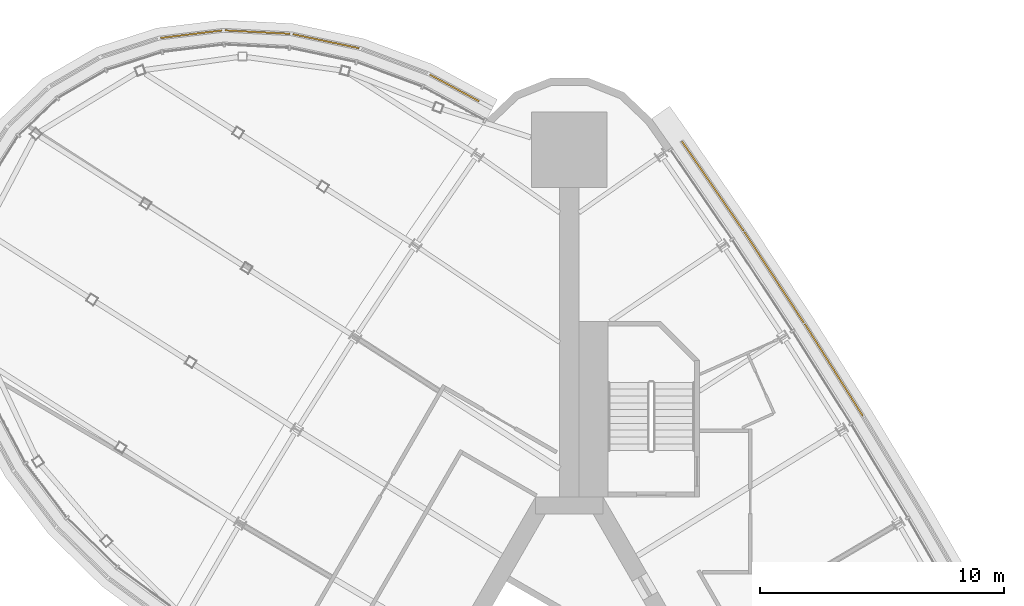
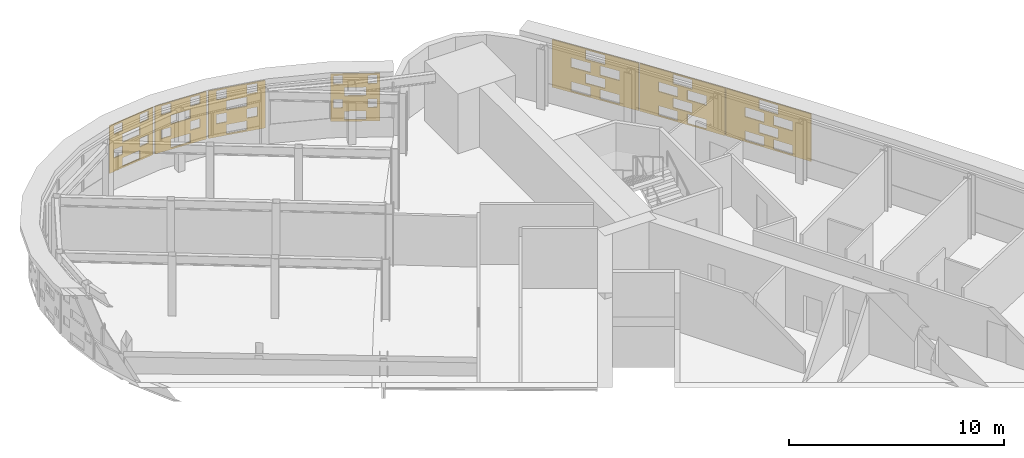
# One storey, part 17 of 17: 7 shading devices.
"""IFC4 building model written with IfcOpenShell, lengths in metres."""

from ifc_helpers import new_model, si_unit, direction, frame, origin, place, context, subcontext, project, spatial, polyline, outline, extrude, material, layer, layer_set, material_profile, profile_set, type_object, element, save


model = new_model("IFC4")

# Units and contexts
model_context = context("Model", 3, precision=1e-05, world=origin(), true_north=direction((0.0, 1.0)))
body_context = subcontext(model_context, "Body", "Model", "MODEL_VIEW")
ifc_project = project(units=[si_unit("LENGTHUNIT", "METRE"), si_unit("AREAUNIT", "SQUARE_METRE"), si_unit("VOLUMEUNIT", "CUBIC_METRE"), si_unit("PLANEANGLEUNIT", "RADIAN"), si_unit("MASSUNIT", "GRAM", prefix="KILO")], contexts=[model_context])

# Site, building, storey
site_placement = place(None, origin())
site = spatial("IfcSite", under=ifc_project, at=site_placement, CompositionType="ELEMENT")
building_placement = place(site_placement, origin())
building = spatial("IfcBuilding", under=site, at=building_placement, Name="Noor Cloister Tower", CompositionType="ELEMENT")
storey_placement = place(building_placement, frame((0.0, 0.0, 102.300048828125)))
storey = spatial("IfcBuildingStorey", under=building, at=storey_placement, Name="L26", CompositionType="ELEMENT", Elevation=102.300048828125)

# Shading devices
ifc_material_1 = material(Name="Limestone", Category="masonry")
ifc_material_profile = material_profile(ifc_material_1, outline(polyline([(-2.22998046875, -1.35009765625), (2.22998046875, -1.35009765625), (2.22998046875, 1.35009765625), (-2.22998046875, 1.35009765625), (-2.22998046875, -1.35009765625)]), holes=[polyline([(-1.25, -1.282470703125), (-0.25, -1.282470703125), (-0.25, -0.742431640625), (-1.25, -0.742431640625), (-1.25, -1.282470703125)]), polyline([(0.25, -1.282470703125), (1.25, -1.282470703125), (1.25, -0.742431640625), (0.25, -0.742431640625), (0.25, -1.282470703125)]), polyline([(-0.5, -0.607421875), (0.5, -0.607421875), (0.5, -0.0673828125), (-0.5, -0.0673828125), (-0.5, -0.607421875)]), polyline([(-1.25, 0.0673828125), (-0.25, 0.0673828125), (-0.25, 0.607421875), (-1.25, 0.607421875), (-1.25, 0.0673828125)]), polyline([(0.25, 0.0673828125), (1.25, 0.0673828125), (1.25, 0.607421875), (0.25, 0.607421875), (0.25, 0.0673828125)]), polyline([(-0.5, 0.742431640625), (0.5, 0.742431640625), (0.5, 1.282470703125), (-0.5, 1.282470703125), (-0.5, 0.742431640625)])]), Name="Woven screen 28 percent open")
ifc_profile_set = profile_set([ifc_material_profile], Name="Limestone")
shading_device_type_1 = type_object("IfcShadingDeviceType", Name="SCREEN woven limestone 28 percent open", PredefinedType="USERDEFINED", material=ifc_profile_set)
for number, where, z_axis, x_axis, name in (
    (1, (10.8115234375, 16.651611328125, 1.849853515625), (0.846164898331, 0.53292116193, 0.0), (-0.53292116193, 0.846164898331, 0.0), "SCREEN L26 7"),
    (2, (8.367919921875, 20.440673828125, 1.849853515625), (0.836396944636, 0.548124211291, 0.0), (-0.548124211291, 0.836396944636, 0.0), "SCREEN L26 8"),
):
    element("IfcShadingDevice", number, at=place(storey_placement, frame(where, z_axis=z_axis, x_axis=x_axis)), inside=storey, type_object=shading_device_type_1, Name=name, ObjectType="SCREEN", PredefinedType="USERDEFINED", context=body_context, shape_type="SweptSolid", body=[
        extrude(outline(polyline([(-2.22998046875, -1.35009765625), (2.22998046875, -1.35009765625), (2.22998046875, 1.35009765625), (-2.22998046875, 1.35009765625), (-2.22998046875, -1.35009765625)]), holes=[polyline([(-1.25, -1.282470703125), (-0.25, -1.282470703125), (-0.25, -0.742431640625), (-1.25, -0.742431640625), (-1.25, -1.282470703125)]), polyline([(0.25, -1.282470703125), (1.25, -1.282470703125), (1.25, -0.742431640625), (0.25, -0.742431640625), (0.25, -1.282470703125)]), polyline([(-0.5, -0.607421875), (0.5, -0.607421875), (0.5, -0.0673828125), (-0.5, -0.0673828125), (-0.5, -0.607421875)]), polyline([(-1.25, 0.0673828125), (-0.25, 0.0673828125), (-0.25, 0.607421875), (-1.25, 0.607421875), (-1.25, 0.0673828125)]), polyline([(0.25, 0.0673828125), (1.25, 0.0673828125), (1.25, 0.607421875), (0.25, 0.607421875), (0.25, 0.0673828125)]), polyline([(-0.5, 0.742431640625), (0.5, 0.742431640625), (0.5, 1.282470703125), (-0.5, 1.282470703125), (-0.5, 0.742431640625)])]), origin(), (0.0, 0.0, 1.0), 0.06005859375),
    ])
shading_device_1_placement = place(storey_placement, frame((5.850341796875, 24.1806640625, 1.849853515625), z_axis=(0.823803864189, 0.566874936249, 0.0), x_axis=(-0.566874936249, 0.823803864189, 0.0)))
element("IfcShadingDevice", 3, at=shading_device_1_placement, inside=storey, type_object=shading_device_type_1, Name="SCREEN L26 9", ObjectType="SCREEN", PredefinedType="USERDEFINED", context=body_context, shape_type="SweptSolid", body=[
    extrude(outline(polyline([(-2.22998046875, -1.35009765625), (2.22998046875, -1.35009765625), (2.22998046875, 1.35009765625), (-2.22998046875, 1.35009765625), (-2.22998046875, -1.35009765625)]), holes=[polyline([(-1.25, -1.282470703125), (-0.25, -1.282470703125), (-0.25, -0.742431640625), (-1.25, -0.742431640625), (-1.25, -1.282470703125)]), polyline([(0.25, -1.282470703125), (1.25, -1.282470703125), (1.25, -0.742431640625), (0.25, -0.742431640625), (0.25, -1.282470703125)]), polyline([(-0.5, -0.607421875), (0.5, -0.607421875), (0.5, -0.0673828125), (-0.5, -0.0673828125), (-0.5, -0.607421875)]), polyline([(-1.25, 0.0673828125), (-0.25, 0.0673828125), (-0.25, 0.607421875), (-1.25, 0.607421875), (-1.25, 0.0673828125)]), polyline([(0.25, 0.0673828125), (1.25, 0.0673828125), (1.25, 0.607421875), (0.25, 0.607421875), (0.25, 0.0673828125)]), polyline([(-0.5, 0.742431640625), (0.5, 0.742431640625), (0.5, 1.282470703125), (-0.5, 1.282470703125), (-0.5, 0.742431640625)])]), origin(), (0.0, 0.0, 1.0), 0.059814453125),
])
ifc_material_2 = material(Name="Limestone", Category="masonry")
ifc_layer = layer(ifc_material_2, 0.06005859375)
ifc_layer_set = layer_set([ifc_layer], Name="SCREEN woven limestone pod 28 percent open")
shading_device_type_2 = type_object("IfcShadingDeviceType", Name="SCREEN woven limestone pod 28 percent open", PredefinedType="USERDEFINED", material=ifc_layer_set)
shading_device_2_placement = place(storey_placement, frame((-4.719970703125, 28.19384765625, 1.849853515625), z_axis=(0.476283148541, 0.879291966537, 0.0), x_axis=(-0.879291966537, 0.476283148541, 0.0)))
element("IfcShadingDevice", 4, at=shading_device_2_placement, inside=storey, type_object=shading_device_type_2, Name="SCREEN L26 1", ObjectType="SCREEN", PredefinedType="USERDEFINED", context=body_context, shape_type="SweptSolid", body=[
    extrude(outline(polyline([(-1.153564453125, -1.35009765625), (1.153564453125, -1.35009765625), (1.153564453125, 1.35009765625), (-1.153564453125, 1.35009765625), (-1.153564453125, -1.35009765625)]), holes=[polyline([(-0.5, -1.25390625), (0.5, -1.25390625), (0.5, -0.771240234375), (-0.5, -0.771240234375), (-0.5, -1.25390625)]), polyline([(0.60009765625, -0.578857421875), (1.00341796875, -0.578857421875), (1.00341796875, -0.09619140625), (0.60009765625, -0.09619140625), (0.60009765625, -0.578857421875)]), polyline([(-1.00341796875, -0.578857421875), (-0.60009765625, -0.578857421875), (-0.60009765625, -0.09619140625), (-1.00341796875, -0.09619140625), (-1.00341796875, -0.578857421875)]), polyline([(-0.5, 0.09619140625), (0.5, 0.09619140625), (0.5, 0.578857421875), (-0.5, 0.578857421875), (-0.5, 0.09619140625)]), polyline([(0.60009765625, 0.771240234375), (1.00341796875, 0.771240234375), (1.00341796875, 1.25390625), (0.60009765625, 1.25390625), (0.60009765625, 0.771240234375)]), polyline([(-1.00341796875, 0.771240234375), (-0.60009765625, 0.771240234375), (-0.60009765625, 1.25390625), (-1.00341796875, 1.25390625), (-1.00341796875, 0.771240234375)])]), origin(), (0.0, 0.0, 1.0), 0.06005859375),
])
shading_device_3_placement = place(storey_placement, frame((-9.97265625, 30.1044921875, 1.849853515625), z_axis=(0.207033313552, 0.978333893453, 0.0), x_axis=(-0.978333893453, 0.207033313552, 0.0)))
element("IfcShadingDevice", 5, at=shading_device_3_placement, inside=storey, type_object=shading_device_type_2, Name="SCREEN L26 3", ObjectType="SCREEN", PredefinedType="USERDEFINED", context=body_context, shape_type="SweptSolid", body=[
    extrude(outline(polyline([(-1.39013671875, -1.35009765625), (1.39013671875, -1.35009765625), (1.39013671875, 1.35009765625), (-1.39013671875, 1.35009765625), (-1.39013671875, -1.35009765625)]), holes=[polyline([(-0.5, -1.275146484375), (0.5, -1.275146484375), (0.5, -0.749755859375), (-0.5, -0.749755859375), (-0.5, -1.275146484375)]), polyline([(-1.0, -0.600341796875), (-0.5, -0.600341796875), (-0.5, -0.07470703125), (-1.0, -0.07470703125), (-1.0, -0.600341796875)]), polyline([(0.5, -0.600341796875), (1.0, -0.600341796875), (1.0, -0.07470703125), (0.5, -0.07470703125), (0.5, -0.600341796875)]), polyline([(-0.5, 0.07470703125), (0.5, 0.07470703125), (0.5, 0.600341796875), (-0.5, 0.600341796875), (-0.5, 0.07470703125)]), polyline([(-1.0, 0.749755859375), (-0.5, 0.749755859375), (-0.5, 1.275146484375), (-1.0, 1.275146484375), (-1.0, 0.749755859375)]), polyline([(0.5, 0.749755859375), (1.0, 0.749755859375), (1.0, 1.275146484375), (0.5, 1.275146484375), (0.5, 0.749755859375)])]), origin(), (0.0, 0.0, 1.0), 0.06005859375),
])
shading_device_4_placement = place(storey_placement, frame((-12.773193359375, 30.477783203125, 1.849853515625), z_axis=(0.052771893118, 0.998606592857, 0.0), x_axis=(-0.998606592857, 0.052771893118, 0.0)))
element("IfcShadingDevice", 6, at=shading_device_4_placement, inside=storey, type_object=shading_device_type_2, Name="SCREEN L26 4", ObjectType="SCREEN", PredefinedType="USERDEFINED", context=body_context, shape_type="SweptSolid", body=[
    extrude(outline(polyline([(-1.3330078125, -1.35009765625), (1.3330078125, -1.35009765625), (1.3330078125, 1.35009765625), (-1.3330078125, 1.35009765625), (-1.3330078125, -1.35009765625)]), holes=[polyline([(-0.5, -1.264404296875), (0.5, -1.264404296875), (0.5, -0.760498046875), (-0.5, -0.760498046875), (-0.5, -1.264404296875)]), polyline([(-1.0, -0.58935546875), (-0.5, -0.58935546875), (-0.5, -0.085693359375), (-1.0, -0.085693359375), (-1.0, -0.58935546875)]), polyline([(0.5, -0.58935546875), (1.0, -0.58935546875), (1.0, -0.085693359375), (0.5, -0.085693359375), (0.5, -0.58935546875)]), polyline([(-0.5, 0.085693359375), (0.5, 0.085693359375), (0.5, 0.58935546875), (-0.5, 0.58935546875), (-0.5, 0.085693359375)]), polyline([(-1.0, 0.760498046875), (-0.5, 0.760498046875), (-0.5, 1.264404296875), (-1.0, 1.264404296875), (-1.0, 0.760498046875)]), polyline([(0.5, 0.760498046875), (1.0, 0.760498046875), (1.0, 1.264404296875), (0.5, 1.264404296875), (0.5, 0.760498046875)])]), origin(), (0.0, 0.0, 1.0), 0.06005859375),
])
shading_device_5_placement = place(storey_placement, frame((-15.478759765625, 30.390625, 1.849853515625), z_axis=(-0.122031907108, 0.992526177815, 0.0), x_axis=(-0.992526177815, -0.122031907108, 0.0)))
element("IfcShadingDevice", 7, at=shading_device_5_placement, inside=storey, type_object=shading_device_type_2, Name="SCREEN L26 5", ObjectType="SCREEN", PredefinedType="USERDEFINED", context=body_context, shape_type="SweptSolid", body=[
    extrude(outline(polyline([(-1.266357421875, -1.35009765625), (1.266357421875, -1.35009765625), (1.266357421875, 1.35009765625), (-1.266357421875, 1.35009765625), (-1.266357421875, -1.35009765625)]), holes=[polyline([(-0.5, -1.251708984375), (0.5, -1.251708984375), (0.5, -0.773193359375), (-0.5, -0.773193359375), (-0.5, -1.251708984375)]), polyline([(-1.0, -0.576904296875), (-0.5, -0.576904296875), (-0.5, -0.09814453125), (-1.0, -0.09814453125), (-1.0, -0.576904296875)]), polyline([(0.5, -0.576904296875), (1.0, -0.576904296875), (1.0, -0.09814453125), (0.5, -0.09814453125), (0.5, -0.576904296875)]), polyline([(-0.5, 0.09814453125), (0.5, 0.09814453125), (0.5, 0.576904296875), (-0.5, 0.576904296875), (-0.5, 0.09814453125)]), polyline([(-1.0, 0.773193359375), (-0.5, 0.773193359375), (-0.5, 1.251708984375), (-1.0, 1.251708984375), (-1.0, 0.773193359375)]), polyline([(0.5, 0.773193359375), (1.0, 0.773193359375), (1.0, 1.251708984375), (0.5, 1.251708984375), (0.5, 0.773193359375)])]), origin(), (0.0, 0.0, 1.0), 0.06005859375),
])

save(model, "model.ifc")
